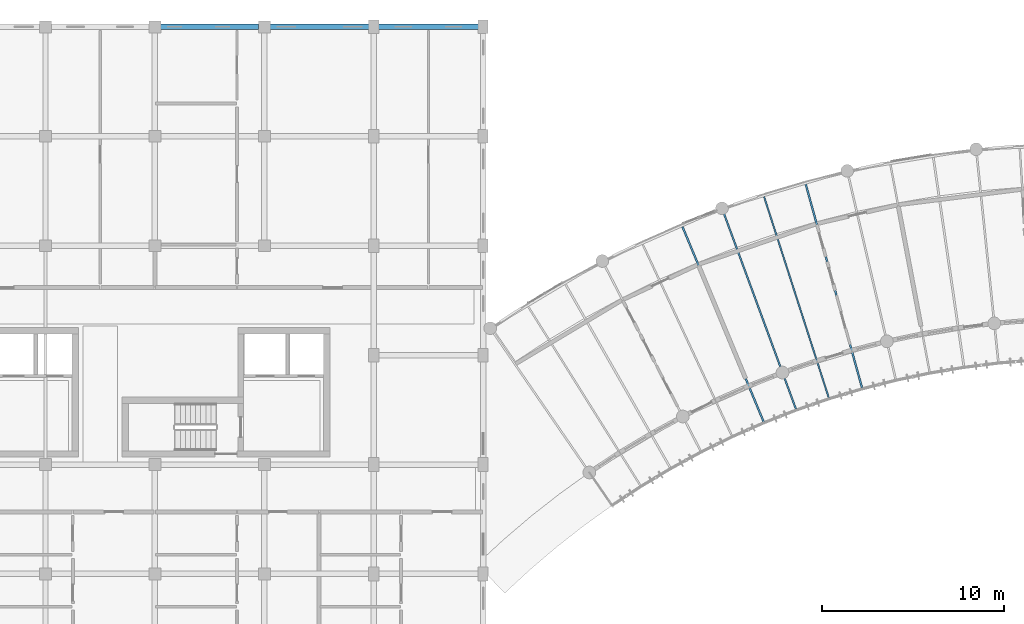
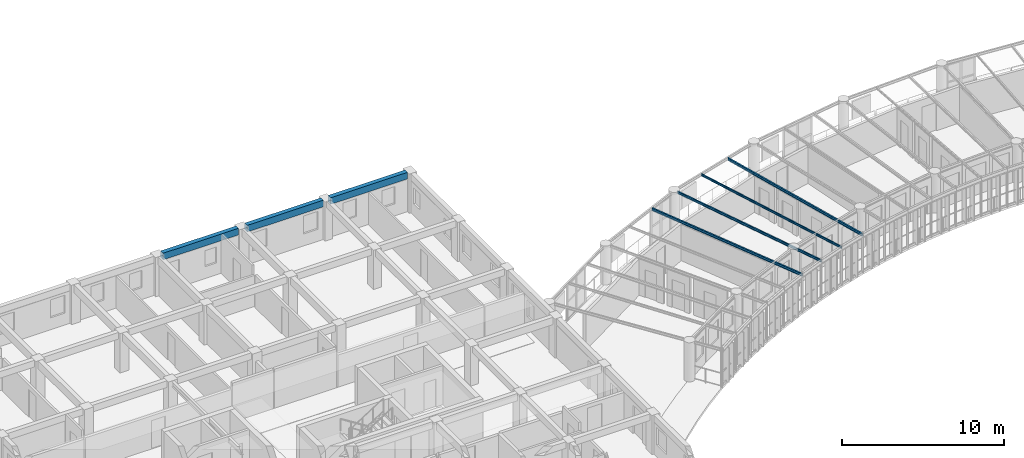
# One storey, part 49 of 123: 7 beams.
"""IFC4 building model written with IfcOpenShell, lengths in metres."""

from ifc_helpers import new_model, si_unit, direction, frame, origin, origin_2d, place, context, subcontext, project, spatial, rectangle, i_section, extrude, material, material_profile, profile_set, type_object, element, save


model = new_model("IFC4")

# Units and contexts
model_context = context("Model", 3, precision=1e-05, world=origin(), true_north=direction((0.0, 1.0)))
body_context = subcontext(model_context, "Body", "Model", "MODEL_VIEW")
ifc_project = project(units=[si_unit("LENGTHUNIT", "METRE"), si_unit("AREAUNIT", "SQUARE_METRE"), si_unit("VOLUMEUNIT", "CUBIC_METRE"), si_unit("PLANEANGLEUNIT", "RADIAN"), si_unit("MASSUNIT", "GRAM", prefix="KILO"), si_unit("POWERUNIT", "WATT"), si_unit("THERMODYNAMICTEMPERATUREUNIT", "KELVIN")], contexts=[model_context])

# Site, building, storey
site_placement = place(None, origin())
site = spatial("IfcSite", under=ifc_project, at=site_placement, CompositionType="ELEMENT")
building_placement = place(site_placement, origin())
building = spatial("IfcBuilding", under=site, at=building_placement, Name="Ruvembo Vaulted Housing Court", CompositionType="ELEMENT")
storey_placement = place(building_placement, frame((0.0, 0.0, 7.699951171875)))
storey = spatial("IfcBuildingStorey", under=building, at=storey_placement, Name="L02", CompositionType="ELEMENT", Elevation=7.699951171875)

# Beams
ifc_material_1 = material(Name="Steel S355J2", Category="steel")
ifc_material_profile_1 = material_profile(ifc_material_1, i_section(OverallWidth=0.08203125, OverallDepth=0.159912109375, WebThickness=0.0048828125, FlangeThickness=0.00732421875, FilletRadius=0.009033203125, at=origin_2d()), Name="IPE 160")
ifc_profile_set_1 = profile_set([ifc_material_profile_1], Name="Steel S355J2")
beam_type_1 = type_object("IfcBeamType", Name="BM-ST-IPE160", PredefinedType="JOIST", material=ifc_profile_set_1)
beam_1_placement = place(storey_placement, frame((99.4013671875, 104.68896484375, 2.860107421875), z_axis=(0.306337017889, -0.951923122669, 0.0), x_axis=(0.951923122669, 0.306337017889, 0.0)))
element("IfcBeam", 1, at=beam_1_placement, inside=storey, type_object=beam_type_1, Name="Scoop SC3 L02 Radial Steel Joist 7", PredefinedType="JOIST", context=body_context, shape_type="SweptSolid", body=[
    extrude(i_section(OverallWidth=0.08203125, OverallDepth=0.159912109375, WebThickness=0.0048828125, FlangeThickness=0.00732421875, FilletRadius=0.009033203125, at=origin_2d()), origin(), (0.0, 0.0, 1.0), 11.690673828125),
])
ifc_material_profile_2 = material_profile(ifc_material_1, i_section(OverallWidth=0.091064453125, OverallDepth=0.179931640625, WebThickness=0.00537109375, FlangeThickness=0.008056640625, FilletRadius=0.009033203125, at=origin_2d()), Name="IPE 180")
ifc_profile_set_2 = profile_set([ifc_material_profile_2], Name="Steel S355J2")
beam_type_2 = type_object("IfcBeamType", Name="BM-ST-IPE180", PredefinedType="JOIST", material=ifc_profile_set_2)
beam_2_placement = place(storey_placement, frame((97.175048828125, 103.835693359375, 2.85009765625), z_axis=(0.345561130095, -0.93839624113, 0.0), x_axis=(0.93839624113, 0.345561130095, 0.0)))
element("IfcBeam", 2, at=beam_2_placement, inside=storey, type_object=beam_type_2, Name="Scoop SC3 L02 Radial Steel Joist 6", PredefinedType="JOIST", context=body_context, shape_type="SweptSolid", body=[
    extrude(i_section(OverallWidth=0.091064453125, OverallDepth=0.179931640625, WebThickness=0.00537109375, FlangeThickness=0.008056640625, FilletRadius=0.009033203125, at=origin_2d()), origin(), (0.0, 0.0, 1.0), 11.610107421875),
])
ifc_material_profile_3 = material_profile(ifc_material_1, i_section(OverallWidth=0.10009765625, OverallDepth=0.199951171875, WebThickness=0.005615234375, FlangeThickness=0.008544921875, FilletRadius=0.011962890625, at=origin_2d()), Name="IPE 200")
ifc_profile_set_3 = profile_set([ifc_material_profile_3], Name="Steel S355J2")
beam_type_3 = type_object("IfcBeamType", Name="BM-ST-IPE200", PredefinedType="BEAM", material=ifc_profile_set_3)
beam_3_placement = place(storey_placement, frame((94.927001953125, 103.041259765625, 2.840087890625), z_axis=(0.384209051793, -0.92324612348, 0.0), x_axis=(0.92324612348, 0.384209051793, 0.0)))
element("IfcBeam", 3, at=beam_3_placement, inside=storey, type_object=beam_type_3, Name="Scoop SC3 L02 Radial Steel Joist 5", PredefinedType="BEAM", context=body_context, shape_type="SweptSolid", body=[
    extrude(i_section(OverallWidth=0.10009765625, OverallDepth=0.199951171875, WebThickness=0.005615234375, FlangeThickness=0.008544921875, FilletRadius=0.011962890625, at=origin_2d()), origin(), (0.0, 0.0, 1.0), 11.690673828125),
])
beam_4_placement = place(storey_placement, frame((101.68603515625, 105.3720703125, 2.840087890625), z_axis=(0.266572021247, -0.963815001693, 0.0), x_axis=(0.963815001693, 0.266572021247, 0.0)))
element("IfcBeam", 4, at=beam_4_placement, inside=storey, type_object=beam_type_3, Name="Scoop SC3 L02 Radial Steel Joist 8", PredefinedType="BEAM", context=body_context, shape_type="SweptSolid", body=[
    extrude(i_section(OverallWidth=0.10009765625, OverallDepth=0.199951171875, WebThickness=0.005615234375, FlangeThickness=0.008544921875, FilletRadius=0.011962890625, at=origin_2d()), origin(), (0.0, 0.0, 1.0), 11.69091796875),
])
ifc_material_2 = material(Name="Concrete C35/45", Category="concrete")
ifc_material_profile_4 = material_profile(ifc_material_2, rectangle(XDim=0.300048828125, YDim=0.5, at=origin_2d()), Name="RC 300x500")
ifc_profile_set_4 = profile_set([ifc_material_profile_4], Name="Concrete C35/45")
beam_type_4 = type_object("IfcBeamType", Name="SP-RC-300x500", PredefinedType="SPANDREL", material=ifc_profile_set_4)
beam_5_placement = place(storey_placement, frame((66.31005859375, 114.0, 2.705078125), z_axis=(1.0, 0.0, 0.0), x_axis=(0.0, 1.0, 0.0)))
element("IfcBeam", 5, at=beam_5_placement, inside=storey, type_object=beam_type_4, Name="L02 Grid Beam X #1566", PredefinedType="SPANDREL", context=body_context, shape_type="SweptSolid", body=[
    extrude(rectangle(XDim=0.300048828125, YDim=0.5, at=origin_2d()), origin(), (0.0, 0.0, 1.0), 5.3798828125),
])
beam_6_placement = place(storey_placement, frame((72.31005859375, 114.0, 2.705078125), z_axis=(1.0, 0.0, 0.0), x_axis=(0.0, 1.0, 0.0)))
element("IfcBeam", 6, at=beam_6_placement, inside=storey, type_object=beam_type_4, Name="L02 Grid Beam X #1567", PredefinedType="SPANDREL", context=body_context, shape_type="SweptSolid", body=[
    extrude(rectangle(XDim=0.300048828125, YDim=0.5, at=origin_2d()), origin(), (0.0, 0.0, 1.0), 5.429931640625),
])
beam_7_placement = place(storey_placement, frame((78.260009765625, 114.0, 2.705078125), z_axis=(1.0, 0.0, 0.0), x_axis=(0.0, 1.0, 0.0)))
element("IfcBeam", 7, at=beam_7_placement, inside=storey, type_object=beam_type_4, Name="L02 Grid Beam X #1568", PredefinedType="SPANDREL", context=body_context, shape_type="SweptSolid", body=[
    extrude(rectangle(XDim=0.300048828125, YDim=0.5, at=origin_2d()), origin(), (0.0, 0.0, 1.0), 5.47998046875),
])

save(model, "model.ifc")
